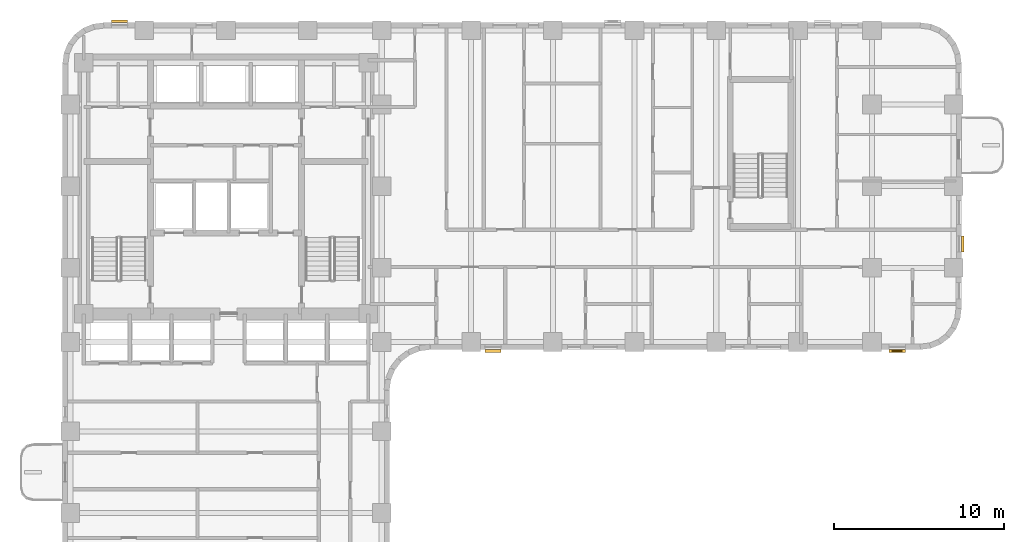
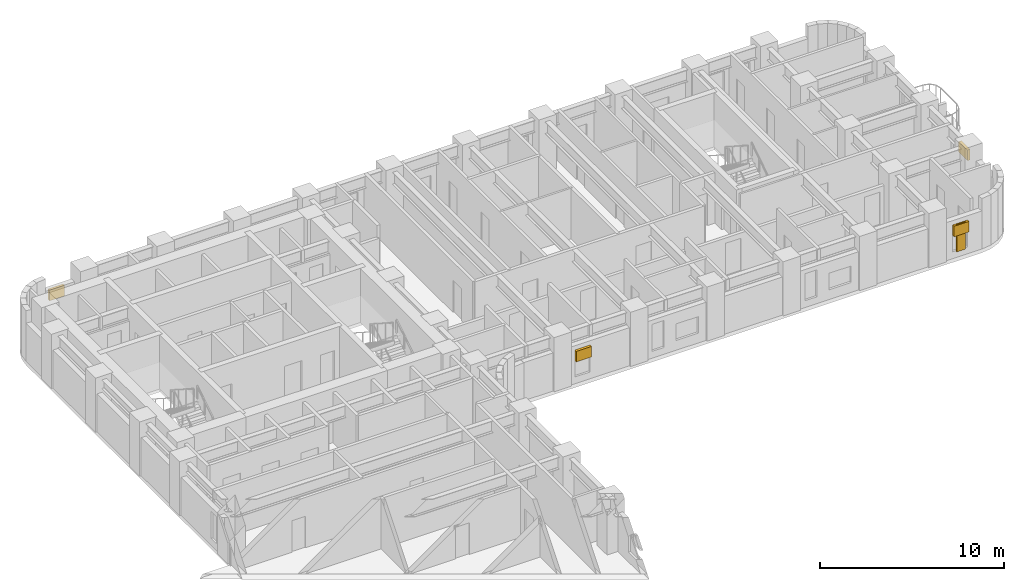
# One storey, part 10 of 11: 5 shading devices.
"""IFC4 building model written with IfcOpenShell, lengths in metres."""

from ifc_helpers import new_model, si_unit, direction, frame, origin, origin_2d, place, context, subcontext, project, spatial, rectangle, extrude, material, type_object, element, save


model = new_model("IFC4")

# Units and contexts
model_context = context("Model", 3, precision=1e-05, world=origin(), true_north=direction((0.0, 1.0)))
body_context = subcontext(model_context, "Body", "Model", "MODEL_VIEW")
ifc_project = project(units=[si_unit("LENGTHUNIT", "METRE"), si_unit("AREAUNIT", "SQUARE_METRE"), si_unit("VOLUMEUNIT", "CUBIC_METRE"), si_unit("PLANEANGLEUNIT", "RADIAN"), si_unit("MASSUNIT", "GRAM", prefix="KILO")], contexts=[model_context])

# Site, building, storey
site_placement = place(None, origin())
site = spatial("IfcSite", under=ifc_project, at=site_placement, CompositionType="ELEMENT")
building_placement = place(site_placement, origin())
building = spatial("IfcBuilding", under=site, at=building_placement, Name="Orvandelia Arch Residences", CompositionType="ELEMENT")
storey_placement = place(building_placement, frame((0.0, 0.0, 86.199951171875)))
storey = spatial("IfcBuildingStorey", under=building, at=storey_placement, Name="L22", CompositionType="ELEMENT", Elevation=86.199951171875)

# Shading devices
ifc_material_1 = material(Name="Anodised Champagne-Bronze Extruded Aluminium", Category="aluminium")
shading_device_type_1 = type_object("IfcShadingDeviceType", Name="SHD-JALOUSIE-SCREEN", PredefinedType="JALOUSIE", material=ifc_material_1)
for number, where, z_axis, x_axis, name in (
    (1, (8.14501953125, 48.080078125, 1.55029296875), (0.0, 0.0, 1.0), (1.0, 0.0, 0.0), "Bronze Jalousie Sun-Shade L22-002"),
    (2, (57.679931640625, 35.010009765625, 1.55029296875), (0.0, 0.0, 1.0), (0.0, -1.0, 0.0), "Bronze Jalousie Sun-Shade L22-004"),
    (3, (30.0849609375, 28.719970703125, 1.55029296875), (0.0, 0.0, 1.0), (-1.0, 0.0, 0.0), "Bronze Jalousie Sun-Shade L22-005"),
    (4, (53.824951171875, 28.719970703125, 1.55029296875), (0.0, 0.0, 1.0), (-1.0, 0.0, 0.0), "Bronze Jalousie Sun-Shade L22-006"),
):
    element("IfcShadingDevice", number, at=place(storey_placement, frame(where, z_axis=z_axis, x_axis=x_axis)), inside=storey, type_object=shading_device_type_1, Name=name, PredefinedType="JALOUSIE", context=body_context, shape_type="SweptSolid", body=[
        extrude(rectangle(XDim=0.949951171875, YDim=0.159912109375, at=origin_2d()), origin(), (0.0, 0.0, 1.0), 0.699951171875),
    ])
ifc_material_2 = material(Name="Marine-Grade Perforated Aluminium Storm Shutter", Category="aluminium")
shading_device_type_2 = type_object("IfcShadingDeviceType", Name="SHD-STORM-SHUTTER", PredefinedType="SHUTTER", material=ifc_material_2)
shading_device_placement = place(storey_placement, frame((53.824951171875, 28.719970703125, 0.4501953125), z_axis=(0.0, 0.0, 1.0), x_axis=(-1.0, 0.0, 0.0)))
element("IfcShadingDevice", 5, at=shading_device_placement, inside=storey, type_object=shading_device_type_2, Name="Operable Typhoon Storm Shutter L22-006", PredefinedType="SHUTTER", context=body_context, shape_type="SweptSolid", body=[
    extrude(rectangle(XDim=0.550048828125, YDim=0.080078125, at=origin_2d()), origin(), (0.0, 0.0, 1.0), 1.800048828125),
])

save(model, "model.ifc")
